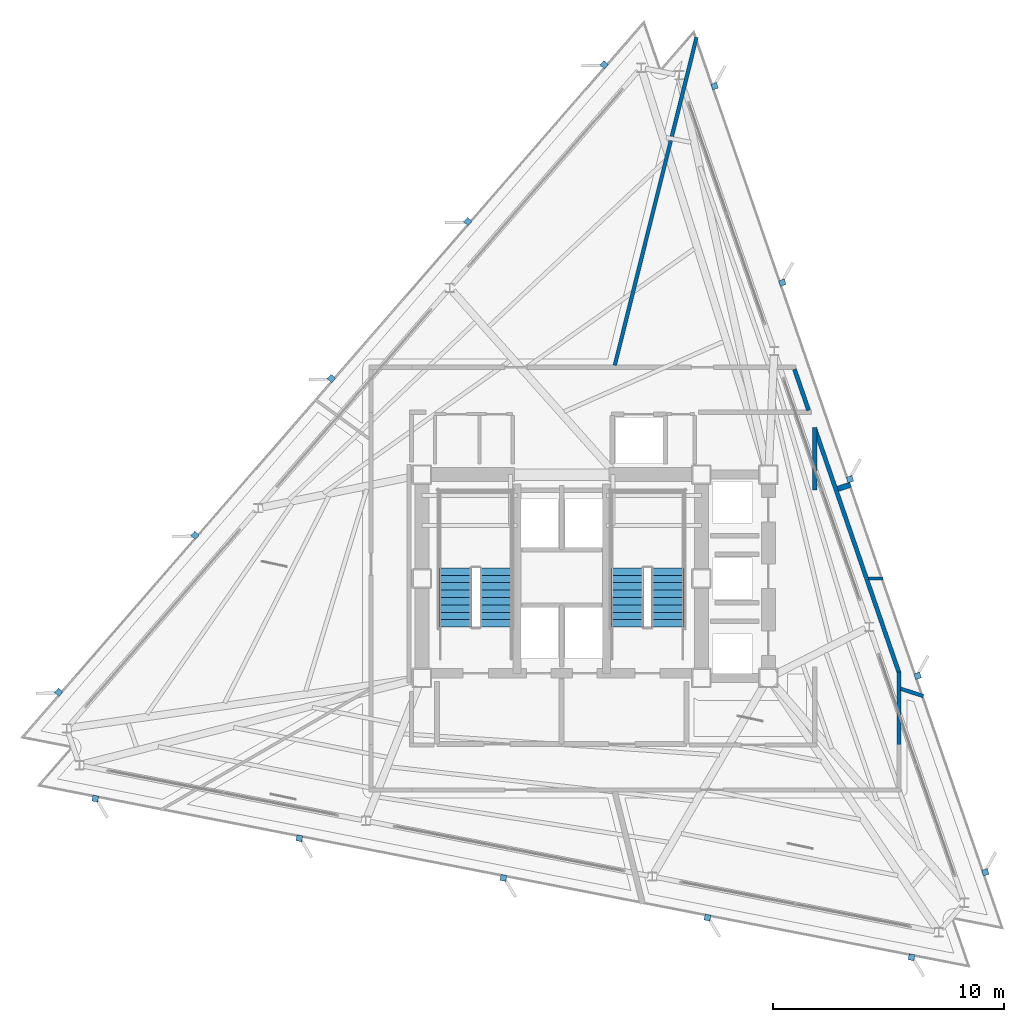
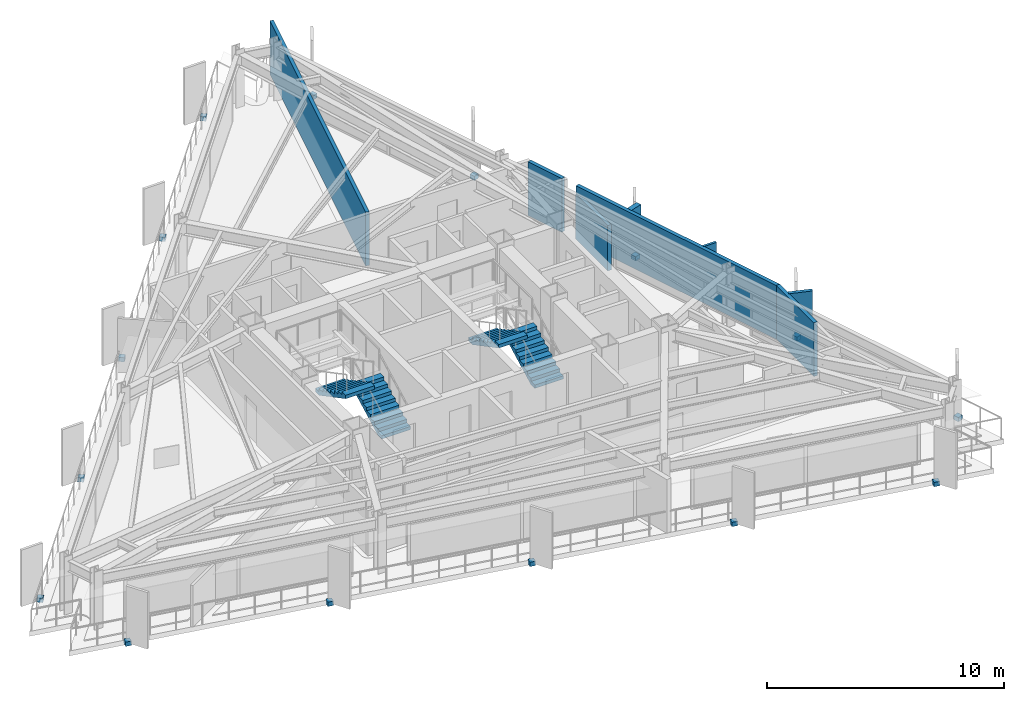
# One storey, part 10 of 13: 15 discrete accessories, 8 walls, 4 stair flights, 2 elements without a shape of their own.
"""IFC4 building model written with IfcOpenShell, lengths in metres."""

from ifc_helpers import new_model, si_unit, direction, frame, frame_2d, origin, origin_2d, place, context, subcontext, project, spatial, polyline, rectangle, outline, extrude, material, layer, layer_set, type_object, element, aggregate, save


model = new_model("IFC4")

# Units and contexts
model_context = context("Model", 3, precision=1e-05, world=origin(), true_north=direction((0.0, 1.0)))
body_context = subcontext(model_context, "Body", "Model", "MODEL_VIEW")
ifc_project = project(units=[si_unit("LENGTHUNIT", "METRE"), si_unit("AREAUNIT", "SQUARE_METRE"), si_unit("VOLUMEUNIT", "CUBIC_METRE"), si_unit("PLANEANGLEUNIT", "RADIAN"), si_unit("MASSUNIT", "GRAM", prefix="KILO")], contexts=[model_context])

# Site, building, storey
site_placement = place(None, origin())
site = spatial("IfcSite", under=ifc_project, at=site_placement, CompositionType="ELEMENT")
building_placement = place(site_placement, origin())
building = spatial("IfcBuilding", under=site, at=building_placement, Name="Rocaltana Carrier Exchange", CompositionType="ELEMENT")
storey_placement = place(building_placement, frame((0.0, 0.0, 150.239990234375)))
storey = spatial("IfcBuildingStorey", under=building, at=storey_placement, Name="L47", CompositionType="ELEMENT", Elevation=150.239990234375)

# Walls
ifc_material_1 = material(Name="Double Acoustic Gypsum Partition", Category="gypsum")
ifc_layer_1 = layer(ifc_material_1, 0.159912109375)
ifc_layer_set_1 = layer_set([ifc_layer_1], Name="Double Acoustic Gypsum Partition")
wall_type_1 = type_object("IfcWallType", Name="Acoustic Studio Partition 160 EI60", PredefinedType="PARTITIONING", material=ifc_layer_set_1)
wall_1_placement = place(storey_placement, frame((14.679931640625, -4.769775390625, 0.0), z_axis=(0.0, 0.0, 1.0), x_axis=(0.951039270022, -0.309070067906, 0.0)))
element("IfcWall", 1, at=wall_1_placement, inside=storey, type_object=wall_type_1, Name="L47 Suite Divider Wall D3", PredefinedType="PARTITIONING", context=body_context, shape_type="SweptSolid", body=[
    extrude(rectangle(XDim=1.034912109375, YDim=0.159912109375, at=frame_2d((0.517578125, 0.0))), origin(), (0.0, 0.0, 1.0), 2.762939453125),
])
wall_2_placement = place(storey_placement, frame((2.30126953125, 9.22998046875, 0.0), z_axis=(0.0, 0.0, 1.0), x_axis=(0.241931245301, 0.970293395086, 0.0)))
element("IfcWall", 2, at=wall_2_placement, inside=storey, type_object=wall_type_1, Name="L47 Suite Divider Wall D6", PredefinedType="PARTITIONING", context=body_context, shape_type="SweptSolid", body=[
    extrude(rectangle(XDim=14.638427734375, YDim=0.159912109375, at=frame_2d((7.3193359375, 0.0))), origin(), (0.0, 0.0, 1.0), 2.762939453125),
])
ifc_material_2 = material(Name="Gypsum & Steel Stud Partition", Category="steel")
ifc_layer_2 = layer(ifc_material_2, 0.179931640625)
ifc_layer_set_2 = layer_set([ifc_layer_2], Name="Gypsum & Steel Stud Partition")
wall_type_2 = type_object("IfcWallType", Name="Corridor Fire Partition 180 EI60", PredefinedType="PARTITIONING", material=ifc_layer_set_2)
wall_3_placement = place(storey_placement, frame((10.08154296875, 9.06494140625, 0.0), z_axis=(0.0, 0.0, 1.0), x_axis=(0.325550958337, -0.945524496524, 0.0)))
element("IfcWall", 3, at=wall_3_placement, inside=storey, type_object=wall_type_2, Name="L47 Corridor Partition 7", PredefinedType="PARTITIONING", context=body_context, shape_type="SweptSolid", body=[
    extrude(rectangle(XDim=1.88232421875, YDim=0.179931640625, at=frame_2d((0.941162109375, 0.0))), origin(), (0.0, 0.0, 1.0), 2.762939453125),
])
wall_4_placement = place(storey_placement, frame((10.9599609375, 3.839599609375, 0.0), z_axis=(0.0, 0.0, 1.0), x_axis=(0.0, 1.0, 0.0)))
element("IfcWall", 4, at=wall_4_placement, inside=storey, type_object=wall_type_2, Name="L47 Corridor Partition 16", PredefinedType="PARTITIONING", context=body_context, shape_type="SweptSolid", body=[
    extrude(rectangle(XDim=2.694091796875, YDim=0.179931640625, at=frame_2d((1.34716796875, 0.0))), origin(), (0.0, 0.0, 1.0), 2.330078125),
])
wall_5_placement = place(storey_placement, frame((10.95361328125, 6.53271484375, 0.0), z_axis=(0.0, 0.0, 1.0), x_axis=(0.325553439946, -0.945523642084, 0.0)))
element("IfcWall", 5, at=wall_5_placement, inside=storey, type_object=wall_type_2, Name="L47 Corridor Partition 17", PredefinedType="PARTITIONING", context=body_context, shape_type="SweptSolid", body=[
    extrude(rectangle(XDim=11.220458984375, YDim=0.179931640625, at=frame_2d((5.6103515625, 0.0))), origin(), (0.0, 0.0, 1.0), 2.762939453125),
])
wall_6_placement = place(storey_placement, frame((14.60009765625, -4.03759765625, 0.0), z_axis=(0.0, 0.0, 1.0), x_axis=(0.0, -1.0, 0.0)))
element("IfcWall", 6, at=wall_6_placement, inside=storey, type_object=wall_type_2, Name="L47 Corridor Partition 18", PredefinedType="PARTITIONING", context=body_context, shape_type="SweptSolid", body=[
    extrude(rectangle(XDim=3.182373046875, YDim=0.179931640625, at=frame_2d((1.59130859375, 0.0))), origin(), (0.0, 0.0, 1.0), 2.762939453125),
])
ifc_material_3 = material(Name="Aluminium 6063-T6 & Acoustic Glass", Category="aluminium")
ifc_layer_3 = layer(ifc_material_3, 0.114990234375)
ifc_layer_set_3 = layer_set([ifc_layer_3], Name="Aluminium 6063-T6 & Acoustic Glass")
wall_type_3 = type_object("IfcWallType", Name="Demountable Glazed Lab Partition 115", PredefinedType="MOVABLE", material=ifc_layer_set_3)
wall_7_placement = place(storey_placement, frame((13.28759765625, 0.0, 0.0), z_axis=(0.0, 0.0, 1.0), x_axis=(1.0, 0.0, 0.0)))
element("IfcWall", 7, at=wall_7_placement, inside=storey, type_object=wall_type_3, Name="L47 Suite Divider Wall D4", PredefinedType="MOVABLE", context=body_context, shape_type="SweptSolid", body=[
    extrude(rectangle(XDim=0.6240234375, YDim=0.114990234375, at=frame_2d((0.31201171875, 0.0))), origin(), (0.0, 0.0, 1.0), 2.762939453125),
])
ifc_material_4 = material(Name="Acoustic Calcium Silicate Partition", Category="gypsum")
ifc_layer_4 = layer(ifc_material_4, 0.239990234375)
ifc_layer_set_4 = layer_set([ifc_layer_4], Name="Acoustic Calcium Silicate Partition")
wall_type_4 = type_object("IfcWallType", Name="Heavy Lab Partition 240 EI90", PredefinedType="PARTITIONING", material=ifc_layer_set_4)
wall_8_placement = place(storey_placement, frame((11.950439453125, 3.8828125, 0.0), z_axis=(0.0, 0.0, 1.0), x_axis=(0.951055346906, 0.309020593362, 0.0)))
element("IfcWall", 8, at=wall_8_placement, inside=storey, type_object=wall_type_4, Name="L47 Suite Divider Wall D5", PredefinedType="PARTITIONING", context=body_context, shape_type="SweptSolid", body=[
    extrude(rectangle(XDim=0.590087890625, YDim=0.239990234375, at=frame_2d((0.294921875, 0.0))), origin(), (0.0, 0.0, 1.0), 2.762939453125),
])

# Stair, stair flights
ifc_material_5 = material(Name="Precast concrete C45/55", Category="concrete")
stair_type = type_object("IfcStairType", Name="Standard Dog-Leg Stair 160", PredefinedType="HALF_TURN_STAIR", material=ifc_material_5)
stair_1_placement = place(storey_placement, origin())
stair_1 = element("IfcStair", 9, at=stair_1_placement, inside=storey, type_object=stair_type, Name="L47 Core West Exit Stair ST-1", PredefinedType="HALF_TURN_STAIR")
ifc_material_6 = material(Name="Precast concrete C45/55", Category="concrete")
stair_flight_type = type_object("IfcStairFlightType", Name="Precast Stair Flight 160", PredefinedType="STRAIGHT", material=ifc_material_6)
stair_flight_1_placement = place(storey_placement, frame((-2.840087890625, -2.10009765625, 0.0), z_axis=(0.0, 0.0, 1.0), x_axis=(0.0, 1.0, 0.0)))
stair_flight_1 = element("IfcStairFlight", 10, at=stair_flight_1_placement, type_object=stair_flight_type, Name="ST-1 flight 1", NumberOfRisers=9, NumberOfTreads=8, PredefinedType="STRAIGHT", RiserHeight=0.168888889, TreadLength=0.32, context=body_context, shape_type="SweptSolid", body=[
    extrude(outline(polyline([(0.0, 0.0), (0.0, 0.1689453125), (0.320068359375, 0.1689453125), (0.320068359375, 0.337890625), (0.639892578125, 0.337890625), (0.639892578125, 0.506591796875), (0.9599609375, 0.506591796875), (0.9599609375, 0.675537109375), (1.280029296875, 0.675537109375), (1.280029296875, 0.844482421875), (1.60009765625, 0.844482421875), (1.60009765625, 1.013427734375), (1.919921875, 1.013427734375), (1.919921875, 1.18212890625), (2.239990234375, 1.18212890625), (2.239990234375, 1.35107421875), (2.56005859375, 1.35107421875), (2.56005859375, 1.52001953125), (2.56005859375, 1.17041015625), (0.342529296875, 0.0), (0.0, 0.0)])), frame((0.0, 0.699951171875, 0.0), z_axis=(0.0, -1.0, 0.0), x_axis=(1.0, 0.0, 0.0)), (0.0, 0.0, 1.0), 1.39990234375),
])
stair_flight_2_placement = place(storey_placement, frame((-4.60009765625, 0.4599609375, 1.52001953125), z_axis=(0.0, 0.0, 1.0), x_axis=(0.0, -1.0, 0.0)))
stair_flight_2 = element("IfcStairFlight", 11, at=stair_flight_2_placement, type_object=stair_flight_type, Name="ST-1 flight 2", NumberOfRisers=9, NumberOfTreads=8, PredefinedType="STRAIGHT", RiserHeight=0.168888889, TreadLength=0.32, context=body_context, shape_type="SweptSolid", body=[
    extrude(outline(polyline([(0.0, 0.0), (0.0, 0.1689453125), (0.320068359375, 0.1689453125), (0.320068359375, 0.337890625), (0.639892578125, 0.337890625), (0.639892578125, 0.506591796875), (0.9599609375, 0.506591796875), (0.9599609375, 0.675537109375), (1.280029296875, 0.675537109375), (1.280029296875, 0.844482421875), (1.60009765625, 0.844482421875), (1.60009765625, 1.013427734375), (1.919921875, 1.013427734375), (1.919921875, 1.18212890625), (2.239990234375, 1.18212890625), (2.239990234375, 1.35107421875), (2.56005859375, 1.35107421875), (2.56005859375, 1.52001953125), (2.56005859375, 1.17041015625), (0.342529296875, 0.0), (0.0, 0.0)])), frame((0.0, 0.699951171875, 0.0), z_axis=(0.0, -1.0, 0.0), x_axis=(1.0, 0.0, 0.0)), (0.0, 0.0, 1.0), 1.39990234375),
])
aggregate(stair_1, [stair_flight_1, stair_flight_2])

stair_2_placement = place(storey_placement, origin())
stair_2 = element("IfcStair", 12, at=stair_2_placement, inside=storey, type_object=stair_type, Name="L47 Core East Exit Stair ST-2", PredefinedType="HALF_TURN_STAIR")
stair_flight_3_placement = place(storey_placement, frame((4.60009765625, -2.10009765625, 0.0), z_axis=(0.0, 0.0, 1.0), x_axis=(0.0, 1.0, 0.0)))
stair_flight_3 = element("IfcStairFlight", 13, at=stair_flight_3_placement, type_object=stair_flight_type, Name="ST-2 flight 1", NumberOfRisers=9, NumberOfTreads=8, PredefinedType="STRAIGHT", RiserHeight=0.168888889, TreadLength=0.32, context=body_context, shape_type="SweptSolid", body=[
    extrude(outline(polyline([(0.0, 0.0), (0.0, 0.1689453125), (0.320068359375, 0.1689453125), (0.320068359375, 0.337890625), (0.639892578125, 0.337890625), (0.639892578125, 0.506591796875), (0.9599609375, 0.506591796875), (0.9599609375, 0.675537109375), (1.280029296875, 0.675537109375), (1.280029296875, 0.844482421875), (1.60009765625, 0.844482421875), (1.60009765625, 1.013427734375), (1.919921875, 1.013427734375), (1.919921875, 1.18212890625), (2.239990234375, 1.18212890625), (2.239990234375, 1.35107421875), (2.56005859375, 1.35107421875), (2.56005859375, 1.52001953125), (2.56005859375, 1.17041015625), (0.342529296875, 0.0), (0.0, 0.0)])), frame((0.0, 0.699951171875, 0.0), z_axis=(0.0, -1.0, 0.0), x_axis=(1.0, 0.0, 0.0)), (0.0, 0.0, 1.0), 1.39990234375),
])
stair_flight_4_placement = place(storey_placement, frame((2.840087890625, 0.4599609375, 1.52001953125), z_axis=(0.0, 0.0, 1.0), x_axis=(0.0, -1.0, 0.0)))
stair_flight_4 = element("IfcStairFlight", 14, at=stair_flight_4_placement, type_object=stair_flight_type, Name="ST-2 flight 2", NumberOfRisers=9, NumberOfTreads=8, PredefinedType="STRAIGHT", RiserHeight=0.168888889, TreadLength=0.32, context=body_context, shape_type="SweptSolid", body=[
    extrude(outline(polyline([(0.0, 0.0), (0.0, 0.1689453125), (0.320068359375, 0.1689453125), (0.320068359375, 0.337890625), (0.639892578125, 0.337890625), (0.639892578125, 0.506591796875), (0.9599609375, 0.506591796875), (0.9599609375, 0.675537109375), (1.280029296875, 0.675537109375), (1.280029296875, 0.844482421875), (1.60009765625, 0.844482421875), (1.60009765625, 1.013427734375), (1.919921875, 1.013427734375), (1.919921875, 1.18212890625), (2.239990234375, 1.18212890625), (2.239990234375, 1.35107421875), (2.56005859375, 1.35107421875), (2.56005859375, 1.52001953125), (2.56005859375, 1.17041015625), (0.342529296875, 0.0), (0.0, 0.0)])), frame((0.0, 0.699951171875, 0.0), z_axis=(0.0, -1.0, 0.0), x_axis=(1.0, 0.0, 0.0)), (0.0, 0.0, 1.0), 1.39990234375),
])
aggregate(stair_2, [stair_flight_3, stair_flight_4])

# Discrete accessories
ifc_material_7 = material(Name="Brushed Architectural Stainless Metal", Category="steel")
ifc_layer_5 = layer(ifc_material_7, 0.219970703125)
ifc_layer_set_5 = layer_set([ifc_layer_5], Name="Brushed Architectural Stainless Metal")
discrete_accessory_type = type_object("IfcDiscreteAccessoryType", Name="Stainless Fin Slab-Edge Bracket 260x260x220", PredefinedType="BRACKET", material=ifc_layer_set_5)
for number, where, z_axis, x_axis, name in (
    (15, (18.344482421875, -12.720703125, -0.2099609375), (0.0, 0.0, 1.0), (-0.325568154457, 0.945518575599, 0.0), "L47 Sandstone Fin Edge Bracket F1-01"),
    (16, (15.414306640625, -4.2109375, -0.2099609375), (0.0, 0.0, 1.0), (-0.325568154457, 0.945518575599, 0.0), "L47 Sandstone Fin Edge Bracket F1-02"),
    (17, (12.484130859375, 4.298583984375, -0.2099609375), (0.0, 0.0, 1.0), (-0.325568154457, 0.945518575599, 0.0), "L47 Sandstone Fin Edge Bracket F1-03"),
    (18, (9.55419921875, 12.808349609375, -0.2099609375), (0.0, 0.0, 1.0), (-0.325568154457, 0.945518575599, 0.0), "L47 Sandstone Fin Edge Bracket F1-04"),
    (19, (6.6240234375, 21.318115234375, -0.2099609375), (0.0, 0.0, 1.0), (-0.325568154457, 0.945518575599, 0.0), "L47 Sandstone Fin Edge Bracket F1-05"),
    (20, (1.84423828125, 22.2470703125, -0.2099609375), (0.0, 0.0, 1.0), (-0.656059028991, -0.754709580223, 0.0), "L47 Sandstone Fin Edge Bracket F2-01"),
    (21, (-4.060302734375, 15.45458984375, -0.2099609375), (0.0, 0.0, 1.0), (-0.656059028991, -0.754709580223, 0.0), "L47 Sandstone Fin Edge Bracket F2-02"),
    (22, (-9.96484375, 8.662353515625, -0.2099609375), (0.0, 0.0, 1.0), (-0.656059028991, -0.754709580223, 0.0), "L47 Sandstone Fin Edge Bracket F2-03"),
    (23, (-15.869384765625, 1.869873046875, -0.2099609375), (0.0, 0.0, 1.0), (-0.656059028991, -0.754709580223, 0.0), "L47 Sandstone Fin Edge Bracket F2-04"),
    (24, (-21.77392578125, -4.92236328125, -0.2099609375), (0.0, 0.0, 1.0), (-0.656059028991, -0.754709580223, 0.0), "L47 Sandstone Fin Edge Bracket F2-05"),
    (25, (-20.188720703125, -9.5263671875, -0.2099609375), (0.0, 0.0, 1.0), (0.981627183448, -0.190808995377, 0.0), "L47 Sandstone Fin Edge Bracket F3-01"),
    (26, (-11.35400390625, -11.24365234375, -0.2099609375), (0.0, 0.0, 1.0), (0.981627183448, -0.190808995377, 0.0), "L47 Sandstone Fin Edge Bracket F3-02"),
    (27, (-2.519287109375, -12.9609375, -0.2099609375), (0.0, 0.0, 1.0), (0.981627183448, -0.190808995377, 0.0), "L47 Sandstone Fin Edge Bracket F3-03"),
    (28, (6.315185546875, -14.67822265625, -0.2099609375), (0.0, 0.0, 1.0), (0.981627183448, -0.190808995377, 0.0), "L47 Sandstone Fin Edge Bracket F3-04"),
    (29, (15.14990234375, -16.3955078125, -0.2099609375), (0.0, 0.0, 1.0), (0.981627183448, -0.190808995377, 0.0), "L47 Sandstone Fin Edge Bracket F3-05"),
):
    element("IfcDiscreteAccessory", number, at=place(storey_placement, frame(where, z_axis=z_axis, x_axis=x_axis)), inside=storey, type_object=discrete_accessory_type, Name=name, PredefinedType="BRACKET", context=body_context, shape_type="SweptSolid", body=[
        extrude(rectangle(XDim=0.260009765625, YDim=0.260009765625, at=origin_2d()), origin(), (0.0, 0.0, 1.0), 0.219970703125),
    ])

save(model, "model.ifc")
